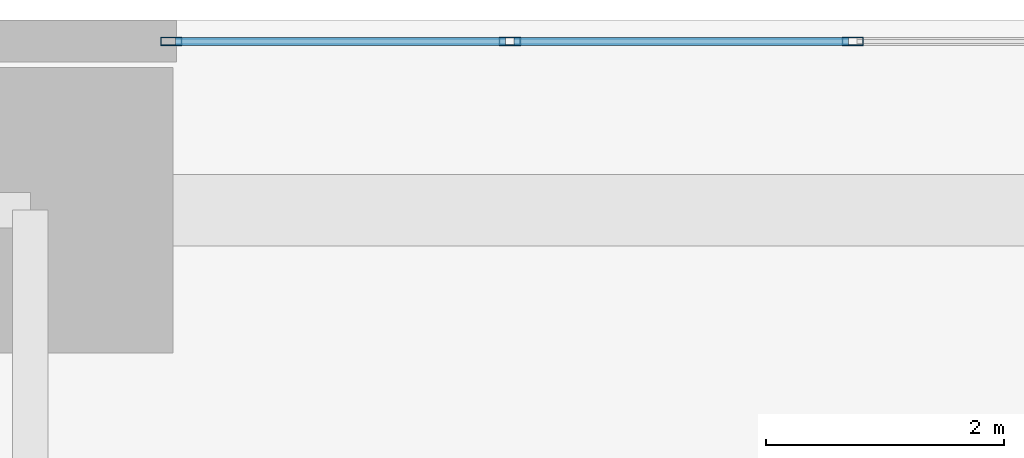
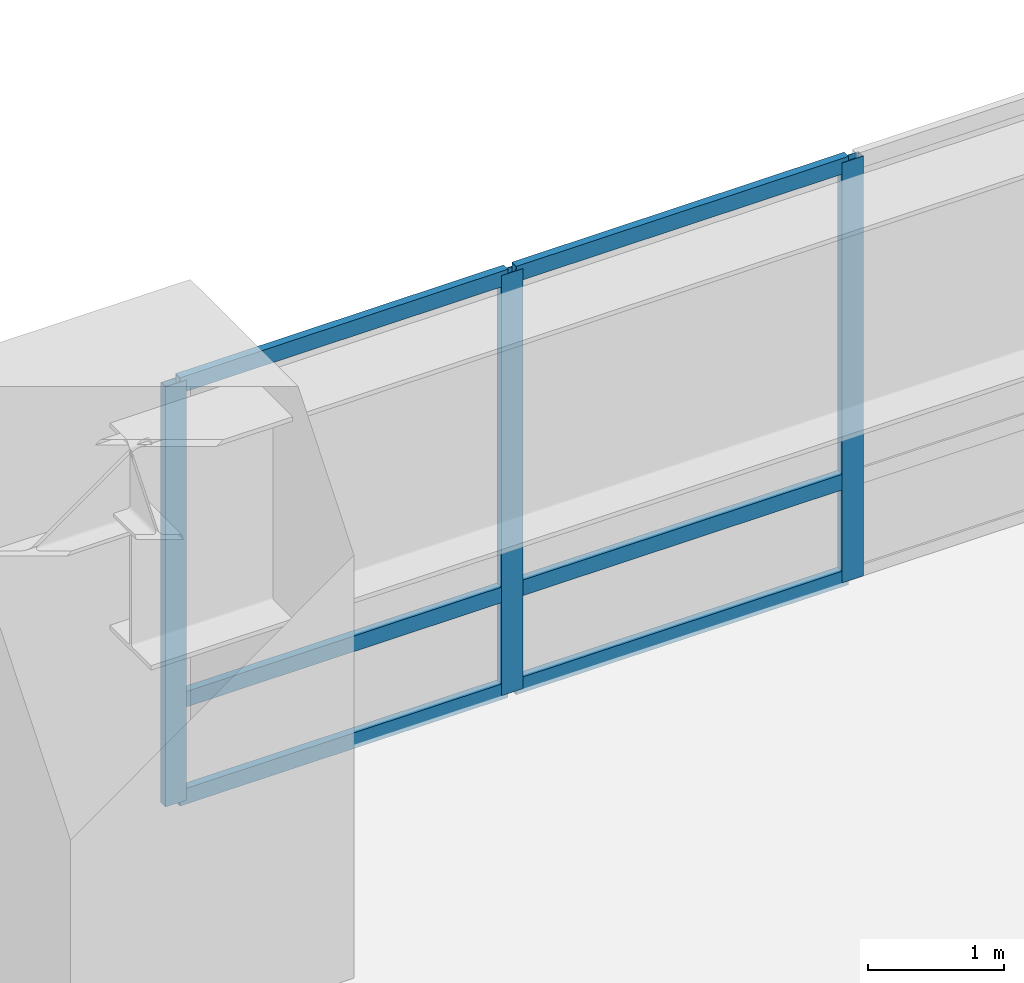
# One storey, part 10 of 17: 9 members, 1 element without a shape of its own.
"""IFC4 building model written with IfcOpenShell, lengths in metres."""

from ifc_helpers import new_model, si_unit, direction, frame, origin, origin_2d, place, context, subcontext, project, spatial, hollow_rectangle, extrude, material, layer, layer_set, material_profile, profile_set, type_object, element, aggregate, save


model = new_model("IFC4")

# Units and contexts
model_context = context("Model", 3, precision=1e-05, world=origin(), true_north=direction((0.0, 1.0)))
body_context = subcontext(model_context, "Body", "Model", "MODEL_VIEW")
ifc_project = project(units=[si_unit("LENGTHUNIT", "METRE"), si_unit("AREAUNIT", "SQUARE_METRE"), si_unit("VOLUMEUNIT", "CUBIC_METRE"), si_unit("PLANEANGLEUNIT", "RADIAN"), si_unit("MASSUNIT", "GRAM", prefix="KILO"), si_unit("THERMODYNAMICTEMPERATUREUNIT", "KELVIN"), si_unit("POWERUNIT", "WATT")], contexts=[model_context])

# Site, building, storey
site_placement = place(None, origin())
site = spatial("IfcSite", under=ifc_project, at=site_placement, CompositionType="ELEMENT")
building_placement = place(site_placement, origin())
building = spatial("IfcBuilding", under=site, at=building_placement, Name="Ocrelia Relay Tower", CompositionType="ELEMENT")
storey_placement = place(building_placement, frame((0.0, 0.0, 15.60009765625)))
storey = spatial("IfcBuildingStorey", under=building, at=storey_placement, Name="L03", CompositionType="ELEMENT", Elevation=15.60009765625)

# Curtain wall, members
ifc_material_1 = material(Name="Aluminium and solar-control low-E glass", Category="aluminium")
ifc_layer = layer(ifc_material_1, 0.179931640625, Name="Aluminium and solar-control low-E glass")
ifc_layer_set = layer_set([ifc_layer], Name="Aluminium and solar-control low-E glass")
curtain_wall_type = type_object("IfcCurtainWallType", Name="CW-SYS-POD-GALL", PredefinedType="NOTDEFINED", material=ifc_layer_set)
curtain_wall_placement = place(storey_placement, origin())
curtain_wall = element("IfcCurtainWall", 1, at=curtain_wall_placement, inside=storey, type_object=curtain_wall_type, Name="L03 North Over-Arch Curtain Wall West", PredefinedType="NOTDEFINED")
ifc_material_2 = material(Name="Anodised bronze aluminium", Category="aluminium")
ifc_material_profile_1 = material_profile(ifc_material_2, hollow_rectangle(XDim=0.070068359375, YDim=0.179931640625, WallThickness=0.006103515625, at=origin_2d()), Name="CW-MUL-180x70")
ifc_profile_set_1 = profile_set([ifc_material_profile_1], Name="Anodised bronze aluminium")
member_type_1 = type_object("IfcMemberType", Name="CW-SYS-POD-GALL-MUL", PredefinedType="MULLION", material=ifc_profile_set_1)
member_1_placement = place(storey_placement, frame((25.385009765625, 51.820068359375, 0.0), z_axis=(0.0, 0.0, 1.0), x_axis=(0.0, 1.0, 0.0)))
member_1 = element("IfcMember", 2, at=member_1_placement, type_object=member_type_1, Name="CW-PG mullion 1", PredefinedType="MULLION", context=body_context, shape_type="SweptSolid", body=[
    extrude(hollow_rectangle(XDim=0.070068359375, YDim=0.179931640625, WallThickness=0.006103515625, at=origin_2d()), origin(), (0.0, 0.0, 1.0), 3.760009765625),
])
member_2_placement = place(storey_placement, frame((28.2333984375, 51.820068359375, 0.0), z_axis=(0.0, 0.0, 1.0), x_axis=(0.0, 1.0, 0.0)))
member_2 = element("IfcMember", 3, at=member_2_placement, type_object=member_type_1, Name="CW-PG mullion 2", PredefinedType="MULLION", context=body_context, shape_type="SweptSolid", body=[
    extrude(hollow_rectangle(XDim=0.070068359375, YDim=0.179931640625, WallThickness=0.006103515625, at=origin_2d()), origin(), (0.0, 0.0, 1.0), 3.760009765625),
])
member_3_placement = place(storey_placement, frame((31.11669921875, 51.820068359375, 0.0), z_axis=(0.0, 0.0, 1.0), x_axis=(0.0, 1.0, 0.0)))
member_3 = element("IfcMember", 4, at=member_3_placement, type_object=member_type_1, Name="CW-PG mullion 3", PredefinedType="MULLION", context=body_context, shape_type="SweptSolid", body=[
    extrude(hollow_rectangle(XDim=0.070068359375, YDim=0.179931640625, WallThickness=0.006103515625, at=origin_2d()), origin(), (0.0, 0.0, 1.0), 3.760009765625),
])
ifc_material_profile_2 = material_profile(ifc_material_2, hollow_rectangle(XDim=0.06494140625, YDim=0.139892578125, WallThickness=0.0048828125, at=origin_2d()), Name="CW-TRN-140x65")
ifc_profile_set_2 = profile_set([ifc_material_profile_2], Name="Anodised bronze aluminium")
member_type_2 = type_object("IfcMemberType", Name="CW-SYS-POD-GALL-TRN", PredefinedType="USERDEFINED", material=ifc_profile_set_2)
member_4_placement = place(storey_placement, frame((25.419921875, 51.820068359375, 0.032470703125), z_axis=(1.0, 0.0, 0.0), x_axis=(0.0, 1.0, 0.0)))
member_4 = element("IfcMember", 5, at=member_4_placement, type_object=member_type_2, Name="CW-PG transom 1.1", ObjectType="TRANSOM", PredefinedType="USERDEFINED", context=body_context, shape_type="SweptSolid", body=[
    extrude(hollow_rectangle(XDim=0.06494140625, YDim=0.139892578125, WallThickness=0.0048828125, at=origin_2d()), origin(), (0.0, 0.0, 1.0), 2.7783203125),
])
member_5_placement = place(storey_placement, frame((25.419921875, 51.820068359375, 0.89990234375), z_axis=(1.0, 0.0, 0.0), x_axis=(0.0, 1.0, 0.0)))
member_5 = element("IfcMember", 6, at=member_5_placement, type_object=member_type_2, Name="CW-PG transom 1.2", ObjectType="TRANSOM", PredefinedType="USERDEFINED", context=body_context, shape_type="SweptSolid", body=[
    extrude(hollow_rectangle(XDim=0.06494140625, YDim=0.139892578125, WallThickness=0.0048828125, at=origin_2d()), origin(), (0.0, 0.0, 1.0), 2.7783203125),
])
member_6_placement = place(storey_placement, frame((25.419921875, 51.820068359375, 3.727294921875), z_axis=(1.0, 0.0, 0.0), x_axis=(0.0, 1.0, 0.0)))
member_6 = element("IfcMember", 7, at=member_6_placement, type_object=member_type_2, Name="CW-PG transom 1.3", ObjectType="TRANSOM", PredefinedType="USERDEFINED", context=body_context, shape_type="SweptSolid", body=[
    extrude(hollow_rectangle(XDim=0.06494140625, YDim=0.139892578125, WallThickness=0.0048828125, at=origin_2d()), origin(), (0.0, 0.0, 1.0), 2.7783203125),
])
member_7_placement = place(storey_placement, frame((28.268310546875, 51.820068359375, 0.032470703125), z_axis=(1.0, 0.0, 0.0), x_axis=(0.0, 1.0, 0.0)))
member_7 = element("IfcMember", 8, at=member_7_placement, type_object=member_type_2, Name="CW-PG transom 2.1", ObjectType="TRANSOM", PredefinedType="USERDEFINED", context=body_context, shape_type="SweptSolid", body=[
    extrude(hollow_rectangle(XDim=0.06494140625, YDim=0.139892578125, WallThickness=0.0048828125, at=origin_2d()), origin(), (0.0, 0.0, 1.0), 2.8134765625),
])
member_8_placement = place(storey_placement, frame((28.268310546875, 51.820068359375, 0.89990234375), z_axis=(1.0, 0.0, 0.0), x_axis=(0.0, 1.0, 0.0)))
member_8 = element("IfcMember", 9, at=member_8_placement, type_object=member_type_2, Name="CW-PG transom 2.2", ObjectType="TRANSOM", PredefinedType="USERDEFINED", context=body_context, shape_type="SweptSolid", body=[
    extrude(hollow_rectangle(XDim=0.06494140625, YDim=0.139892578125, WallThickness=0.0048828125, at=origin_2d()), origin(), (0.0, 0.0, 1.0), 2.8134765625),
])
member_9_placement = place(storey_placement, frame((28.268310546875, 51.820068359375, 3.727294921875), z_axis=(1.0, 0.0, 0.0), x_axis=(0.0, 1.0, 0.0)))
member_9 = element("IfcMember", 10, at=member_9_placement, type_object=member_type_2, Name="CW-PG transom 2.3", ObjectType="TRANSOM", PredefinedType="USERDEFINED", context=body_context, shape_type="SweptSolid", body=[
    extrude(hollow_rectangle(XDim=0.06494140625, YDim=0.139892578125, WallThickness=0.0048828125, at=origin_2d()), origin(), (0.0, 0.0, 1.0), 2.8134765625),
])
aggregate(curtain_wall, [member_1, member_2, member_3, member_4, member_5, member_6, member_7, member_8, member_9])

save(model, "model.ifc")
